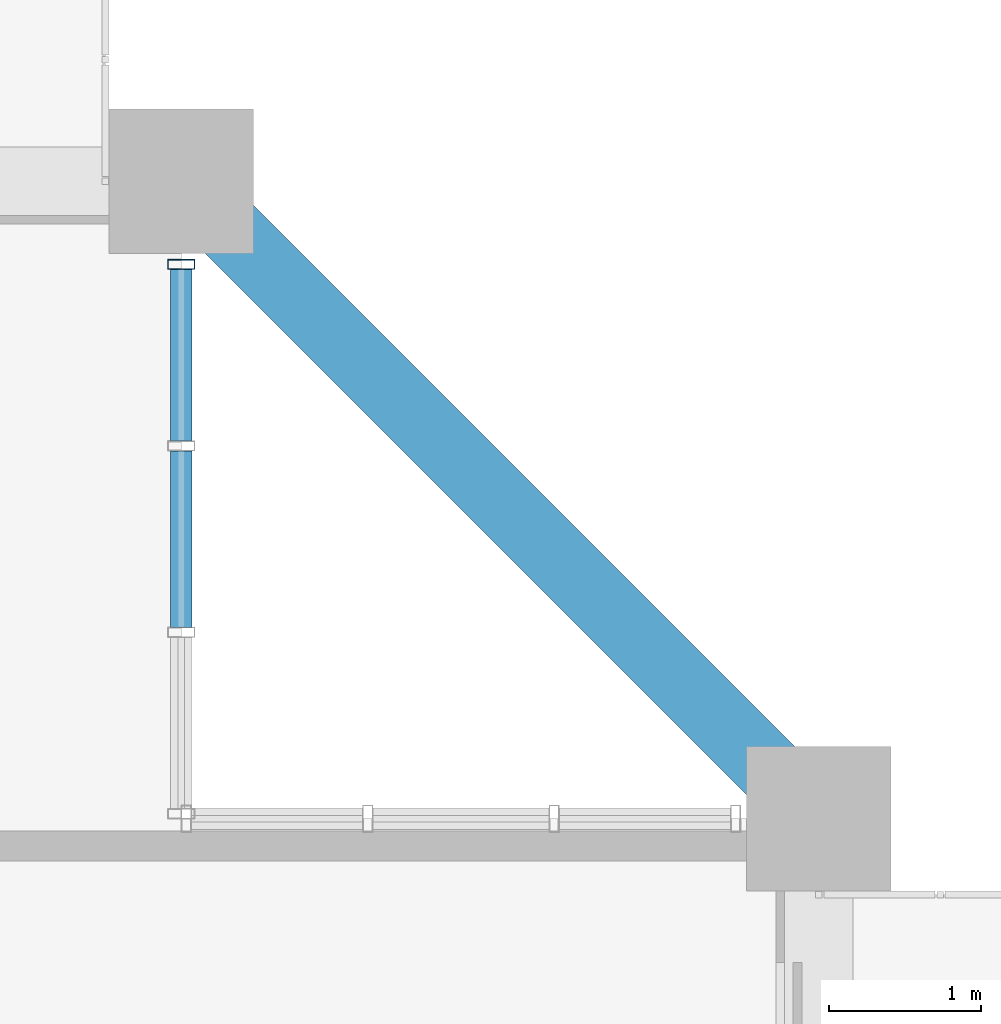
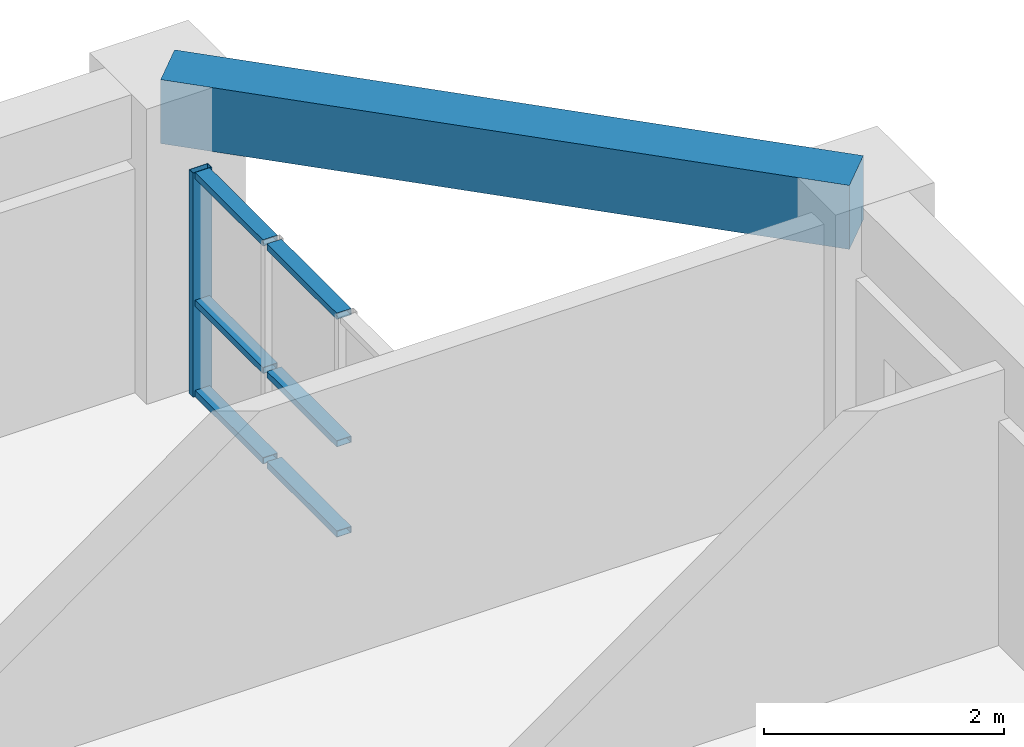
# One storey, part 12 of 26: 7 members, 1 beam, 1 element without a shape of its own.
"""IFC4 building model written with IfcOpenShell, lengths in metres."""

from ifc_helpers import new_model, si_unit, direction, frame, origin, origin_2d, place, context, subcontext, project, spatial, rectangle, hollow_rectangle, extrude, source, transform, mapped, material, layer, layer_set, material_profile, profile_set, type_object, element, aggregate, save


model = new_model("IFC4")

# Units and contexts
model_context = context("Model", 3, precision=1e-05, world=origin(), true_north=direction((0.0, 1.0)))
body_context = subcontext(model_context, "Body", "Model", "MODEL_VIEW")
ifc_project = project(units=[si_unit("LENGTHUNIT", "METRE"), si_unit("AREAUNIT", "SQUARE_METRE"), si_unit("VOLUMEUNIT", "CUBIC_METRE"), si_unit("PLANEANGLEUNIT", "RADIAN"), si_unit("MASSUNIT", "GRAM", prefix="KILO")], contexts=[model_context])

# Site, building, storey
site_placement = place(None, origin())
site = spatial("IfcSite", under=ifc_project, at=site_placement, CompositionType="ELEMENT")
building_placement = place(site_placement, origin())
building = spatial("IfcBuilding", under=site, at=building_placement, Name="Saelheon Loggia Tower", CompositionType="ELEMENT")
storey_placement = place(building_placement, frame((0.0, 0.0, 116.85009765625)))
storey = spatial("IfcBuildingStorey", under=building, at=storey_placement, Name="L37", CompositionType="ELEMENT", Elevation=116.85009765625)

# Beam
ifc_material_1 = material(Name="Concrete C40/50", Category="concrete")
ifc_material_profile_1 = material_profile(ifc_material_1, rectangle(XDim=0.449951171875, YDim=0.64990234375, at=origin_2d()), Name="RC-450x650")
ifc_profile_set_1 = profile_set([ifc_material_profile_1], Name="Concrete C40/50")
beam_type = type_object("IfcBeamType", Name="Beam_PerimTower_RC450x650", PredefinedType="BEAM", material=ifc_profile_set_1)
shared_shape_1 = source(origin(), body_context, "Body", "SweptSolid", [
    extrude(rectangle(XDim=0.449951171875, YDim=0.64990234375, at=origin_2d()), origin(), (0.0, 0.0, 1.0), 5.939697265625),
])
beam_placement = place(storey_placement, frame((64.0, 46.800048828125, 2.6748046875), z_axis=(-0.707106781187, 0.707106781187, 0.0), x_axis=(-0.707106781187, -0.707106781187, 0.0)))
element("IfcBeam", 1, at=beam_placement, inside=storey, type_object=beam_type, Name="L37 Perimeter Frame Girder 08", PredefinedType="BEAM", context=body_context, shape_type="MappedRepresentation", body=[
    mapped(shared_shape_1, transform((0.0, 0.0, 0.0), scale=1.0)),
])

# Curtain wall, members
ifc_material_2 = material(Name="Thermal-Break Aluminium and Triple Low-E Glass", Category="aluminium")
ifc_layer = layer(ifc_material_2, 0.159912109375)
ifc_layer_set = layer_set([ifc_layer], Name="Thermal-Break Aluminium and Triple Low-E Glass")
curtain_wall_type = type_object("IfcCurtainWallType", Name="CW_TowerLoggiaLow", PredefinedType="NOTDEFINED", material=ifc_layer_set)
curtain_wall_placement = place(storey_placement, origin())
curtain_wall = element("IfcCurtainWall", 2, at=curtain_wall_placement, inside=storey, type_object=curtain_wall_type, Name="L37 Corner Notch Glazing NE1", PredefinedType="NOTDEFINED")
ifc_material_3 = material(Name="Anodised Aluminium 6063-T6", Category="aluminium")
ifc_material_profile_2 = material_profile(ifc_material_3, hollow_rectangle(XDim=0.06494140625, YDim=0.179931640625, WallThickness=0.00390625, at=origin_2d()), Name="RHS-180x65x4")
ifc_profile_set_2 = profile_set([ifc_material_profile_2], Name="Anodised Aluminium 6063-T6")
member_type_1 = type_object("IfcMemberType", Name="CW_TowerLoggiaLow_Mullion", PredefinedType="MULLION", material=ifc_profile_set_2)
shared_shape_2 = source(origin(), body_context, "Body", "SweptSolid", [
    extrude(hollow_rectangle(XDim=0.06494140625, YDim=0.179931640625, WallThickness=0.00390625, at=origin_2d()), origin(), (0.0, 0.0, 1.0), 2.27978515625),
])
member_1_placement = place(storey_placement, frame((59.800048828125, 50.452392578125, 0.0), z_axis=(0.0, 0.0, 1.0), x_axis=(0.0, 1.0, 0.0)))
member_1 = element("IfcMember", 3, at=member_1_placement, type_object=member_type_1, Name="CW3 mullion 4", PredefinedType="MULLION", context=body_context, shape_type="MappedRepresentation", body=[
    mapped(shared_shape_2, transform((0.0, 0.0, 0.0), scale=1.0)),
])
ifc_material_profile_3 = material_profile(ifc_material_3, hollow_rectangle(XDim=0.06494140625, YDim=0.139892578125, WallThickness=0.00390625, at=origin_2d()), Name="RHS-140x65x4")
ifc_profile_set_3 = profile_set([ifc_material_profile_3], Name="Anodised Aluminium 6063-T6")
member_type_2 = type_object("IfcMemberType", Name="CW_TowerLoggiaLow_Transom", PredefinedType="USERDEFINED", material=ifc_profile_set_3)
shared_shape_3 = source(origin(), body_context, "Body", "SweptSolid", [
    extrude(hollow_rectangle(XDim=0.06494140625, YDim=0.139892578125, WallThickness=0.00390625, at=origin_2d()), origin(), (0.0, 0.0, 1.0), 1.130859375),
])
member_2_placement = place(storey_placement, frame((59.800048828125, 49.2890625, 0.032470703125), z_axis=(0.0, 1.0, 0.0), x_axis=(0.0, 0.0, 1.0)))
member_2 = element("IfcMember", 4, at=member_2_placement, type_object=member_type_2, Name="CW3 transom 3.1", ObjectType="TRANSOM", PredefinedType="USERDEFINED", context=body_context, shape_type="MappedRepresentation", body=[
    mapped(shared_shape_3, transform((0.0, 0.0, 0.0), scale=1.0)),
])
member_3_placement = place(storey_placement, frame((59.800048828125, 49.2890625, 0.949951171875), z_axis=(0.0, 1.0, 0.0), x_axis=(0.0, 0.0, 1.0)))
member_3 = element("IfcMember", 5, at=member_3_placement, type_object=member_type_2, Name="CW3 transom 3.2", ObjectType="TRANSOM", PredefinedType="USERDEFINED", context=body_context, shape_type="MappedRepresentation", body=[
    mapped(shared_shape_3, transform((0.0, 0.0, 0.0), scale=1.0)),
])
member_4_placement = place(storey_placement, frame((59.800048828125, 49.2890625, 2.247314453125), z_axis=(0.0, 1.0, 0.0), x_axis=(0.0, 0.0, 1.0)))
member_4 = element("IfcMember", 6, at=member_4_placement, type_object=member_type_2, Name="CW3 transom 3.3", ObjectType="TRANSOM", PredefinedType="USERDEFINED", context=body_context, shape_type="MappedRepresentation", body=[
    mapped(shared_shape_3, transform((0.0, 0.0, 0.0), scale=1.0)),
])
shared_shape_4 = source(origin(), body_context, "Body", "SweptSolid", [
    extrude(hollow_rectangle(XDim=0.06494140625, YDim=0.139892578125, WallThickness=0.00390625, at=origin_2d()), origin(), (0.0, 0.0, 1.0), 1.163330078125),
])
member_5_placement = place(storey_placement, frame((59.800048828125, 48.060791015625, 0.032470703125), z_axis=(0.0, 1.0, 0.0), x_axis=(0.0, 0.0, 1.0)))
member_5 = element("IfcMember", 7, at=member_5_placement, type_object=member_type_2, Name="CW3 transom 2.1", ObjectType="TRANSOM", PredefinedType="USERDEFINED", context=body_context, shape_type="MappedRepresentation", body=[
    mapped(shared_shape_4, transform((0.0, 0.0, 0.0), scale=1.0)),
])
member_6_placement = place(storey_placement, frame((59.800048828125, 48.060791015625, 0.949951171875), z_axis=(0.0, 1.0, 0.0), x_axis=(0.0, 0.0, 1.0)))
member_6 = element("IfcMember", 8, at=member_6_placement, type_object=member_type_2, Name="CW3 transom 2.2", ObjectType="TRANSOM", PredefinedType="USERDEFINED", context=body_context, shape_type="MappedRepresentation", body=[
    mapped(shared_shape_4, transform((0.0, 0.0, 0.0), scale=1.0)),
])
member_7_placement = place(storey_placement, frame((59.800048828125, 48.060791015625, 2.247314453125), z_axis=(0.0, 1.0, 0.0), x_axis=(0.0, 0.0, 1.0)))
member_7 = element("IfcMember", 9, at=member_7_placement, type_object=member_type_2, Name="CW3 transom 2.3", ObjectType="TRANSOM", PredefinedType="USERDEFINED", context=body_context, shape_type="MappedRepresentation", body=[
    mapped(shared_shape_4, transform((0.0, 0.0, 0.0), scale=1.0)),
])
aggregate(curtain_wall, [member_1, member_5, member_6, member_7, member_2, member_3, member_4])

save(model, "model.ifc")
